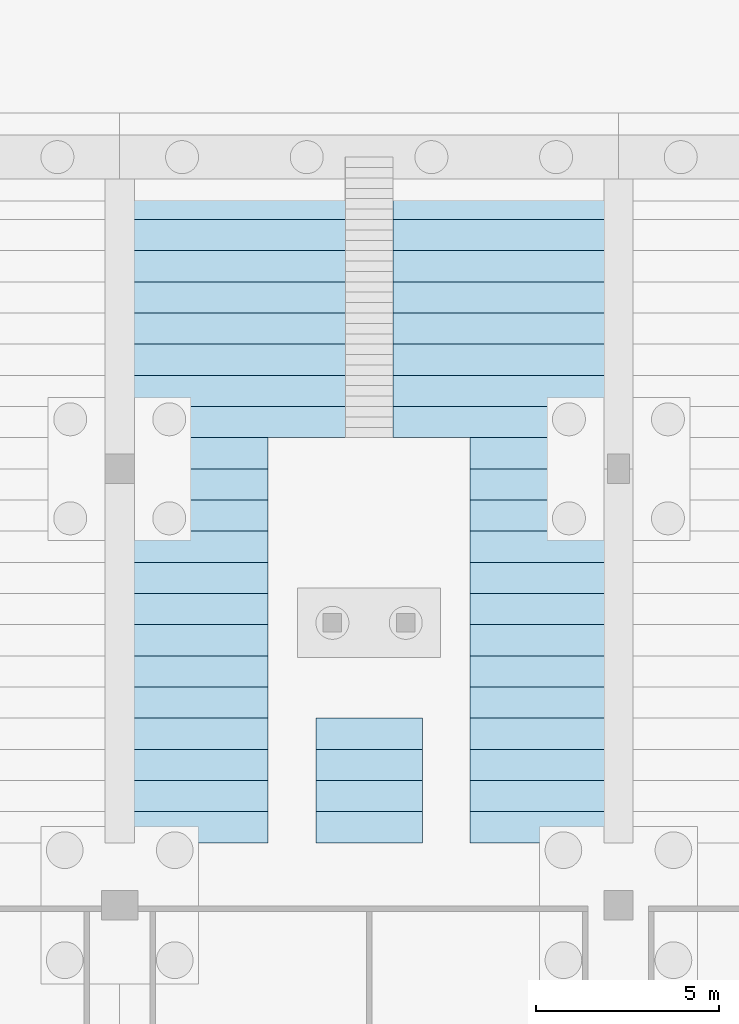
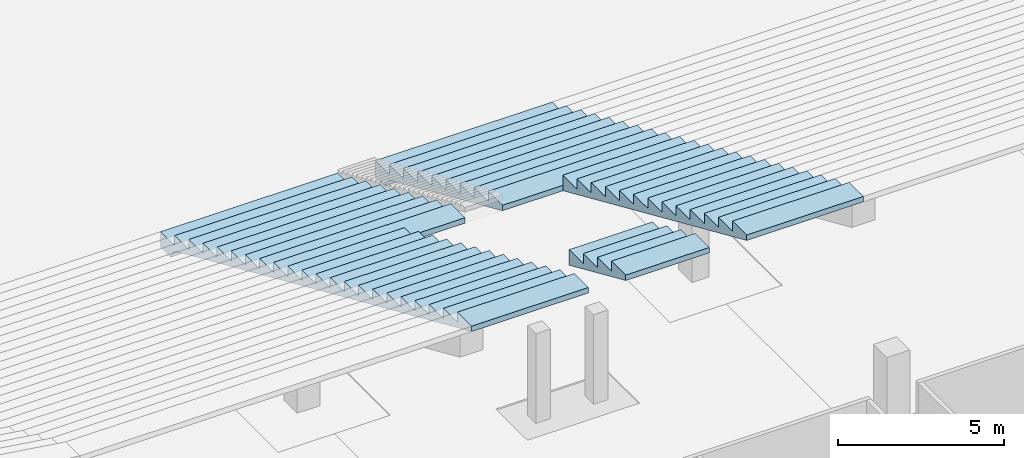
# One storey, part 44 of 115: 1 slab.
"""IFC4 building model written with IfcOpenShell, lengths in metres."""

from ifc_helpers import new_model, si_unit, direction, frame, origin, place, context, subcontext, project, spatial, faceted_brep, material, layer, layer_set, type_object, element, save


model = new_model("IFC4")

# Units and contexts
model_context = context("Model", 3, precision=1e-05, world=origin(), true_north=direction((0.0, 1.0)))
body_context = subcontext(model_context, "Body", "Model", "MODEL_VIEW")
ifc_project = project(units=[si_unit("LENGTHUNIT", "METRE"), si_unit("AREAUNIT", "SQUARE_METRE"), si_unit("VOLUMEUNIT", "CUBIC_METRE"), si_unit("PLANEANGLEUNIT", "RADIAN"), si_unit("MASSUNIT", "GRAM", prefix="KILO")], contexts=[model_context])

# Site, building, storey
site_placement = place(None, origin())
site = spatial("IfcSite", under=ifc_project, at=site_placement, CompositionType="ELEMENT")
building_placement = place(site_placement, origin())
building = spatial("IfcBuilding", under=site, at=building_placement, Name="Ogive Plaza Stadium", CompositionType="ELEMENT")
storey_placement = place(building_placement, frame((0.0, 0.0, -4.5)))
storey = spatial("IfcBuildingStorey", under=building, at=storey_placement, Name="B1", CompositionType="ELEMENT", Elevation=-4.5)

# Slab
ifc_material = material(Name="Concrete C45/55 precast", Category="concrete")
ifc_layer = layer(ifc_material, 0.574951171875)
ifc_layer_set = layer_set([ifc_layer], Name="Concrete C45/55 precast")
slab_type = type_object("IfcSlabType", Name="Seating tier LT 575", PredefinedType="USERDEFINED", material=ifc_layer_set)
slab_placement = place(storey_placement, origin())
element("IfcSlab", 1, at=slab_placement, inside=storey, type_object=slab_type, Name="Stand LT B15", ObjectType="SEATING TIER", PredefinedType="USERDEFINED", context=body_context, shape_type="Brep", body=[
    faceted_brep([(-12.949951171875, -60.0, 1.125), (-12.949951171875, -60.60009765625, 1.125), (-6.800048828125, -60.60009765625, 1.125), (-6.800048828125, -60.0, 1.125), (-20.39990234375, -60.0, 1.125), (-20.39990234375, -60.60009765625, 1.125), (-14.25, -60.60009765625, 1.125), (-14.25, -60.0, 1.125), (-12.949951171875, -60.85009765625, 1.125), (-6.800048828125, -60.85009765625, 1.125), (-20.39990234375, -60.85009765625, 1.125), (-14.25, -60.85009765625, 1.125), (-12.949951171875, -60.60009765625, 0.550048828125), (-6.800048828125, -60.0, 0.550048828125), (-6.800048828125, -60.60009765625, 0.550048828125), (-12.949951171875, -60.0, 0.550048828125), (-20.39990234375, -60.60009765625, 0.550048828125), (-14.25, -60.0, 0.550048828125), (-14.25, -60.60009765625, 0.550048828125), (-20.39990234375, -60.0, 0.550048828125), (-6.800048828125, -60.85009765625, 0.925048828125), (-6.800048828125, -60.85009765625, 1.5), (-6.800048828125, -61.699951171875, 1.5), (-6.800048828125, -61.699951171875, 1.300048828125), (-6.800048828125, -61.699951171875, 1.875), (-6.800048828125, -62.550048828125, 1.875), (-6.800048828125, -62.550048828125, 1.675048828125), (-6.800048828125, -62.550048828125, 2.25), (-6.800048828125, -63.39990234375, 2.25), (-6.800048828125, -63.39990234375, 2.050048828125), (-6.800048828125, -63.39990234375, 2.625), (-6.800048828125, -64.25, 2.625), (-6.800048828125, -64.25, 2.425048828125), (-6.800048828125, -64.25, 3.0), (-6.800048828125, -65.10009765625, 3.0), (-6.800048828125, -65.10009765625, 2.800048828125), (-6.800048828125, -65.10009765625, 3.375), (-6.800048828125, -65.949951171875, 3.375), (-6.800048828125, -65.949951171875, 3.175048828125), (-6.800048828125, -65.949951171875, 3.75), (-6.800048828125, -66.800048828125, 3.75), (-6.800048828125, -66.800048828125, 3.550048828125), (-6.800048828125, -66.800048828125, 4.125), (-6.800048828125, -67.64990234375, 4.125), (-6.800048828125, -67.64990234375, 3.925048828125), (-6.800048828125, -67.64990234375, 4.5), (-6.800048828125, -68.5, 4.5), (-6.800048828125, -68.5, 4.300048828125), (-6.800048828125, -68.5, 4.875), (-6.800048828125, -69.35009765625, 4.875), (-6.800048828125, -69.35009765625, 4.675048828125), (-6.800048828125, -69.35009765625, 5.25), (-6.800048828125, -70.199951171875, 5.25), (-6.800048828125, -70.199951171875, 5.050048828125), (-6.800048828125, -70.199951171875, 5.625), (-6.800048828125, -71.050048828125, 5.625), (-6.800048828125, -71.050048828125, 5.425048828125), (-6.800048828125, -71.050048828125, 6.0), (-6.800048828125, -71.89990234375, 6.0), (-6.800048828125, -71.89990234375, 5.800048828125), (-6.800048828125, -71.89990234375, 6.375), (-6.800048828125, -72.75, 6.375), (-6.800048828125, -72.75, 6.175048828125), (-6.800048828125, -72.75, 6.75), (-6.800048828125, -73.60009765625, 6.75), (-6.800048828125, -73.60009765625, 6.550048828125), (-6.800048828125, -73.60009765625, 7.125), (-6.800048828125, -74.449951171875, 7.125), (-6.800048828125, -74.449951171875, 6.925048828125), (-6.800048828125, -74.449951171875, 7.5), (-6.800048828125, -75.300048828125, 7.5), (-6.800048828125, -75.300048828125, 7.300048828125), (-6.800048828125, -75.300048828125, 7.875), (-6.800048828125, -76.14990234375, 7.875), (-6.800048828125, -76.14990234375, 7.675048828125), (-6.800048828125, -76.14990234375, 8.25), (-6.800048828125, -77.0, 8.25), (-6.800048828125, -77.0, 8.050048828125), (-6.800048828125, -77.0, 8.625), (-6.800048828125, -77.85009765625, 8.625), (-6.800048828125, -77.85009765625, 8.425048828125), (-6.800048828125, -77.85009765625, 9.0), (-6.800048828125, -78.699951171875, 9.0), (-6.800048828125, -78.699951171875, 8.800048828125), (-12.949951171875, -60.85009765625, 0.925048828125), (-12.949951171875, -61.699951171875, 1.5), (-12.949951171875, -60.85009765625, 1.5), (-12.949951171875, -61.699951171875, 1.300048828125), (-12.949951171875, -62.550048828125, 1.875), (-12.949951171875, -61.699951171875, 1.875), (-12.949951171875, -62.550048828125, 1.675048828125), (-12.949951171875, -63.39990234375, 2.25), (-12.949951171875, -62.550048828125, 2.25), (-12.949951171875, -63.39990234375, 2.050048828125), (-12.949951171875, -64.25, 2.625), (-12.949951171875, -63.39990234375, 2.625), (-12.949951171875, -64.25, 2.425048828125), (-12.949951171875, -65.10009765625, 3.0), (-12.949951171875, -64.25, 3.0), (-12.949951171875, -65.10009765625, 2.800048828125), (-12.949951171875, -65.949951171875, 3.375), (-12.949951171875, -65.10009765625, 3.375), (-12.949951171875, -65.949951171875, 3.175048828125), (-12.949951171875, -66.800048828125, 3.75), (-12.949951171875, -65.949951171875, 3.75), (-12.949951171875, -66.800048828125, 3.550048828125), (-12.949951171875, -67.64990234375, 4.125), (-12.949951171875, -66.800048828125, 4.125), (-12.949951171875, -67.64990234375, 3.925048828125), (-14.25, -60.85009765625, 0.925048828125), (-14.25, -60.85009765625, 1.5), (-14.25, -61.699951171875, 1.5), (-14.25, -61.699951171875, 1.300048828125), (-14.25, -61.699951171875, 1.875), (-14.25, -62.550048828125, 1.875), (-14.25, -62.550048828125, 1.675048828125), (-14.25, -62.550048828125, 2.25), (-14.25, -63.39990234375, 2.25), (-14.25, -63.39990234375, 2.050048828125), (-14.25, -63.39990234375, 2.625), (-14.25, -64.25, 2.625), (-14.25, -64.25, 2.425048828125), (-14.25, -64.25, 3.0), (-14.25, -65.10009765625, 3.0), (-14.25, -65.10009765625, 2.800048828125), (-14.25, -65.10009765625, 3.375), (-14.25, -65.949951171875, 3.375), (-14.25, -65.949951171875, 3.175048828125), (-14.25, -65.949951171875, 3.75), (-14.25, -66.800048828125, 3.75), (-14.25, -66.800048828125, 3.550048828125), (-14.25, -66.800048828125, 4.125), (-14.25, -67.64990234375, 4.125), (-14.25, -67.64990234375, 3.925048828125), (-20.39990234375, -60.85009765625, 0.925048828125), (-20.39990234375, -61.699951171875, 1.5), (-20.39990234375, -60.85009765625, 1.5), (-20.39990234375, -61.699951171875, 1.300048828125), (-20.39990234375, -62.550048828125, 1.875), (-20.39990234375, -61.699951171875, 1.875), (-20.39990234375, -62.550048828125, 1.675048828125), (-20.39990234375, -63.39990234375, 2.25), (-20.39990234375, -62.550048828125, 2.25), (-20.39990234375, -63.39990234375, 2.050048828125), (-20.39990234375, -64.25, 2.625), (-20.39990234375, -63.39990234375, 2.625), (-20.39990234375, -64.25, 2.425048828125), (-20.39990234375, -65.10009765625, 3.0), (-20.39990234375, -64.25, 3.0), (-20.39990234375, -65.10009765625, 2.800048828125), (-20.39990234375, -65.949951171875, 3.375), (-20.39990234375, -65.10009765625, 3.375), (-20.39990234375, -65.949951171875, 3.175048828125), (-20.39990234375, -66.800048828125, 3.75), (-20.39990234375, -65.949951171875, 3.75), (-20.39990234375, -66.800048828125, 3.550048828125), (-20.39990234375, -67.64990234375, 4.125), (-20.39990234375, -66.800048828125, 4.125), (-20.39990234375, -67.64990234375, 3.925048828125), (-20.39990234375, -68.5, 4.5), (-20.39990234375, -67.64990234375, 4.5), (-20.39990234375, -68.5, 4.300048828125), (-20.39990234375, -69.35009765625, 4.875), (-20.39990234375, -68.5, 4.875), (-20.39990234375, -69.35009765625, 4.675048828125), (-20.39990234375, -70.199951171875, 5.25), (-20.39990234375, -69.35009765625, 5.25), (-20.39990234375, -70.199951171875, 5.050048828125), (-20.39990234375, -71.050048828125, 5.625), (-20.39990234375, -70.199951171875, 5.625), (-20.39990234375, -71.050048828125, 5.425048828125), (-20.39990234375, -71.89990234375, 6.0), (-20.39990234375, -71.050048828125, 6.0), (-20.39990234375, -71.89990234375, 5.800048828125), (-20.39990234375, -72.75, 6.375), (-20.39990234375, -71.89990234375, 6.375), (-20.39990234375, -72.75, 6.175048828125), (-20.39990234375, -73.60009765625, 6.75), (-20.39990234375, -72.75, 6.75), (-20.39990234375, -73.60009765625, 6.550048828125), (-20.39990234375, -74.449951171875, 7.125), (-20.39990234375, -73.60009765625, 7.125), (-20.39990234375, -74.449951171875, 6.925048828125), (-20.39990234375, -75.300048828125, 7.5), (-20.39990234375, -74.449951171875, 7.5), (-20.39990234375, -75.300048828125, 7.300048828125), (-20.39990234375, -76.14990234375, 7.875), (-20.39990234375, -75.300048828125, 7.875), (-20.39990234375, -76.14990234375, 7.675048828125), (-20.39990234375, -77.0, 8.25), (-20.39990234375, -76.14990234375, 8.25), (-20.39990234375, -77.0, 8.050048828125), (-20.39990234375, -77.85009765625, 8.625), (-20.39990234375, -77.0, 8.625), (-20.39990234375, -77.85009765625, 8.425048828125), (-20.39990234375, -78.699951171875, 9.0), (-20.39990234375, -77.85009765625, 9.0), (-20.39990234375, -78.699951171875, 8.800048828125), (-10.85009765625, -67.64990234375, 3.925048828125), (-16.35009765625, -67.64990234375, 3.925048828125), (-10.85009765625, -68.5, 4.300048828125), (-16.35009765625, -68.5, 4.300048828125), (-10.85009765625, -69.35009765625, 4.675048828125), (-16.35009765625, -69.35009765625, 4.675048828125), (-10.85009765625, -70.199951171875, 5.050048828125), (-16.35009765625, -70.199951171875, 5.050048828125), (-10.85009765625, -71.050048828125, 5.425048828125), (-16.35009765625, -71.050048828125, 5.425048828125), (-10.85009765625, -71.89990234375, 5.800048828125), (-16.35009765625, -71.89990234375, 5.800048828125), (-10.85009765625, -72.75, 6.175048828125), (-16.35009765625, -72.75, 6.175048828125), (-10.85009765625, -73.60009765625, 6.550048828125), (-16.35009765625, -73.60009765625, 6.550048828125), (-10.85009765625, -74.449951171875, 6.925048828125), (-16.35009765625, -74.449951171875, 6.925048828125), (-10.85009765625, -75.300048828125, 7.300048828125), (-16.35009765625, -75.300048828125, 7.300048828125), (-10.85009765625, -76.14990234375, 7.675048828125), (-15.050048828125, -76.14990234375, 7.675048828125), (-12.14990234375, -75.300048828125, 7.300048828125), (-12.14990234375, -76.14990234375, 7.675048828125), (-15.050048828125, -75.300048828125, 7.300048828125), (-16.35009765625, -76.14990234375, 7.675048828125), (-10.85009765625, -67.64990234375, 4.125), (-16.35009765625, -67.64990234375, 4.125), (-10.85009765625, -67.64990234375, 4.5), (-16.35009765625, -67.64990234375, 4.5), (-10.85009765625, -68.5, 4.5), (-16.35009765625, -68.5, 4.5), (-10.85009765625, -68.5, 4.875), (-16.35009765625, -68.5, 4.875), (-10.85009765625, -69.35009765625, 4.875), (-10.85009765625, -70.199951171875, 5.25), (-10.85009765625, -69.35009765625, 5.25), (-10.85009765625, -71.050048828125, 5.625), (-10.85009765625, -70.199951171875, 5.625), (-10.85009765625, -71.89990234375, 6.0), (-10.85009765625, -71.050048828125, 6.0), (-10.85009765625, -72.75, 6.375), (-10.85009765625, -71.89990234375, 6.375), (-10.85009765625, -73.60009765625, 6.75), (-10.85009765625, -72.75, 6.75), (-10.85009765625, -74.449951171875, 7.125), (-10.85009765625, -73.60009765625, 7.125), (-10.85009765625, -75.300048828125, 7.5), (-10.85009765625, -74.449951171875, 7.5), (-10.85009765625, -76.14990234375, 7.875), (-10.85009765625, -75.300048828125, 7.875), (-10.85009765625, -77.0, 8.25), (-10.85009765625, -76.14990234375, 8.25), (-10.85009765625, -77.0, 8.050048828125), (-10.85009765625, -77.85009765625, 8.625), (-10.85009765625, -77.0, 8.625), (-10.85009765625, -77.85009765625, 8.425048828125), (-10.85009765625, -78.699951171875, 9.0), (-10.85009765625, -77.85009765625, 9.0), (-10.85009765625, -78.699951171875, 8.800048828125), (-16.35009765625, -69.35009765625, 4.875), (-16.35009765625, -69.35009765625, 5.25), (-16.35009765625, -70.199951171875, 5.25), (-16.35009765625, -70.199951171875, 5.625), (-16.35009765625, -71.050048828125, 5.625), (-16.35009765625, -71.050048828125, 6.0), (-16.35009765625, -71.89990234375, 6.0), (-16.35009765625, -71.89990234375, 6.375), (-16.35009765625, -72.75, 6.375), (-16.35009765625, -72.75, 6.75), (-16.35009765625, -73.60009765625, 6.75), (-16.35009765625, -73.60009765625, 7.125), (-16.35009765625, -74.449951171875, 7.125), (-16.35009765625, -74.449951171875, 7.5), (-16.35009765625, -75.300048828125, 7.5), (-16.35009765625, -75.300048828125, 7.875), (-16.35009765625, -76.14990234375, 7.875), (-16.35009765625, -76.14990234375, 8.25), (-16.35009765625, -77.0, 8.25), (-16.35009765625, -77.0, 8.050048828125), (-16.35009765625, -77.0, 8.625), (-16.35009765625, -77.85009765625, 8.625), (-16.35009765625, -77.85009765625, 8.425048828125), (-16.35009765625, -77.85009765625, 9.0), (-16.35009765625, -78.699951171875, 9.0), (-16.35009765625, -78.699951171875, 8.800048828125), (-12.14990234375, -75.300048828125, 7.875), (-15.050048828125, -75.300048828125, 7.875), (-15.050048828125, -76.14990234375, 7.875), (-12.14990234375, -76.14990234375, 7.875), (-12.14990234375, -76.14990234375, 8.25), (-15.050048828125, -76.14990234375, 8.25), (-12.14990234375, -77.0, 8.25), (-12.14990234375, -77.0, 8.050048828125), (-12.14990234375, -77.0, 8.625), (-12.14990234375, -77.85009765625, 8.625), (-12.14990234375, -77.85009765625, 8.425048828125), (-12.14990234375, -77.85009765625, 9.0), (-12.14990234375, -78.699951171875, 9.0), (-12.14990234375, -78.699951171875, 8.800048828125), (-15.050048828125, -77.0, 8.25), (-15.050048828125, -77.0, 8.050048828125), (-15.050048828125, -77.85009765625, 8.625), (-15.050048828125, -77.0, 8.625), (-15.050048828125, -77.85009765625, 8.425048828125), (-15.050048828125, -78.699951171875, 9.0), (-15.050048828125, -77.85009765625, 9.0), (-15.050048828125, -78.699951171875, 8.800048828125)], [[[0, 1, 2]], [[2, 3, 0]], [[4, 5, 6]], [[6, 7, 4]], [[1, 8, 9]], [[9, 2, 1]], [[5, 10, 11]], [[11, 6, 5]], [[12, 13, 14]], [[12, 15, 13]], [[16, 17, 18]], [[16, 19, 17]], [[2, 14, 13]], [[13, 3, 2]], [[20, 14, 2]], [[20, 2, 9]], [[9, 21, 22]], [[22, 23, 20]], [[20, 9, 22]], [[22, 24, 25]], [[25, 26, 23]], [[23, 22, 25]], [[25, 27, 28]], [[28, 29, 26]], [[26, 25, 28]], [[28, 30, 31]], [[31, 32, 29]], [[29, 28, 31]], [[31, 33, 34]], [[34, 35, 32]], [[32, 31, 34]], [[34, 36, 37]], [[37, 38, 35]], [[35, 34, 37]], [[37, 39, 40]], [[40, 41, 38]], [[38, 37, 40]], [[40, 42, 43]], [[43, 44, 41]], [[41, 40, 43]], [[43, 45, 46]], [[46, 47, 44]], [[44, 43, 46]], [[46, 48, 49]], [[49, 50, 47]], [[47, 46, 49]], [[49, 51, 52]], [[52, 53, 50]], [[50, 49, 52]], [[52, 54, 55]], [[55, 56, 53]], [[53, 52, 55]], [[55, 57, 58]], [[58, 59, 56]], [[56, 55, 58]], [[58, 60, 61]], [[61, 62, 59]], [[59, 58, 61]], [[61, 63, 64]], [[64, 65, 62]], [[62, 61, 64]], [[64, 66, 67]], [[67, 68, 65]], [[65, 64, 67]], [[67, 69, 70]], [[70, 71, 68]], [[68, 67, 70]], [[70, 72, 73]], [[73, 74, 71]], [[71, 70, 73]], [[73, 75, 76]], [[76, 77, 74]], [[74, 73, 76]], [[76, 78, 79]], [[79, 80, 77]], [[77, 76, 79]], [[79, 81, 82]], [[82, 83, 80]], [[80, 79, 82]], [[3, 13, 15]], [[15, 0, 3]], [[7, 17, 19]], [[19, 4, 7]], [[0, 15, 12]], [[12, 1, 0]], [[1, 12, 84]], [[84, 8, 1]], [[85, 86, 8]], [[8, 84, 87]], [[87, 85, 8]], [[88, 89, 85]], [[85, 87, 90]], [[90, 88, 85]], [[91, 92, 88]], [[88, 90, 93]], [[93, 91, 88]], [[94, 95, 91]], [[91, 93, 96]], [[96, 94, 91]], [[97, 98, 94]], [[94, 96, 99]], [[99, 97, 94]], [[100, 101, 97]], [[97, 99, 102]], [[102, 100, 97]], [[103, 104, 100]], [[100, 102, 105]], [[105, 103, 100]], [[106, 107, 103]], [[103, 105, 108]], [[108, 106, 103]], [[6, 18, 17]], [[17, 7, 6]], [[109, 18, 6]], [[109, 6, 11]], [[11, 110, 111]], [[111, 112, 109]], [[109, 11, 111]], [[111, 113, 114]], [[114, 115, 112]], [[112, 111, 114]], [[114, 116, 117]], [[117, 118, 115]], [[115, 114, 117]], [[117, 119, 120]], [[120, 121, 118]], [[118, 117, 120]], [[120, 122, 123]], [[123, 124, 121]], [[121, 120, 123]], [[123, 125, 126]], [[126, 127, 124]], [[124, 123, 126]], [[126, 128, 129]], [[129, 130, 127]], [[127, 126, 129]], [[129, 131, 132]], [[132, 133, 130]], [[130, 129, 132]], [[4, 19, 16]], [[16, 5, 4]], [[5, 16, 134]], [[134, 10, 5]], [[135, 136, 10]], [[10, 134, 137]], [[137, 135, 10]], [[138, 139, 135]], [[135, 137, 140]], [[140, 138, 135]], [[141, 142, 138]], [[138, 140, 143]], [[143, 141, 138]], [[144, 145, 141]], [[141, 143, 146]], [[146, 144, 141]], [[147, 148, 144]], [[144, 146, 149]], [[149, 147, 144]], [[150, 151, 147]], [[147, 149, 152]], [[152, 150, 147]], [[153, 154, 150]], [[150, 152, 155]], [[155, 153, 150]], [[156, 157, 153]], [[153, 155, 158]], [[158, 156, 153]], [[159, 160, 156]], [[156, 158, 161]], [[161, 159, 156]], [[162, 163, 159]], [[159, 161, 164]], [[164, 162, 159]], [[165, 166, 162]], [[162, 164, 167]], [[167, 165, 162]], [[168, 169, 165]], [[165, 167, 170]], [[170, 168, 165]], [[171, 172, 168]], [[168, 170, 173]], [[173, 171, 168]], [[174, 175, 171]], [[171, 173, 176]], [[176, 174, 171]], [[177, 178, 174]], [[174, 176, 179]], [[179, 177, 174]], [[180, 181, 177]], [[177, 179, 182]], [[182, 180, 177]], [[183, 184, 180]], [[180, 182, 185]], [[185, 183, 180]], [[186, 187, 183]], [[183, 185, 188]], [[188, 186, 183]], [[189, 190, 186]], [[186, 188, 191]], [[191, 189, 186]], [[192, 193, 189]], [[189, 191, 194]], [[194, 192, 189]], [[195, 196, 192]], [[192, 194, 197]], [[197, 195, 192]], [[84, 14, 20]], [[84, 12, 14]], [[134, 18, 109]], [[134, 16, 18]], [[21, 9, 8]], [[8, 86, 21]], [[110, 11, 10]], [[10, 136, 110]], [[86, 85, 22]], [[22, 21, 86]], [[136, 135, 111]], [[111, 110, 136]], [[87, 20, 23]], [[87, 84, 20]], [[137, 109, 112]], [[137, 134, 109]], [[90, 23, 26]], [[90, 87, 23]], [[140, 112, 115]], [[140, 137, 112]], [[93, 26, 29]], [[93, 90, 26]], [[143, 115, 118]], [[143, 140, 115]], [[96, 29, 32]], [[96, 93, 29]], [[146, 118, 121]], [[146, 143, 118]], [[99, 32, 35]], [[99, 96, 32]], [[149, 121, 124]], [[149, 146, 121]], [[102, 35, 38]], [[102, 99, 35]], [[152, 124, 127]], [[152, 149, 124]], [[105, 38, 41]], [[105, 102, 38]], [[155, 127, 130]], [[155, 152, 127]], [[41, 44, 198]], [[108, 41, 198]], [[108, 105, 41]], [[199, 158, 130]], [[130, 133, 199]], [[158, 155, 130]], [[200, 44, 47]], [[200, 198, 44]], [[161, 199, 201]], [[161, 158, 199]], [[202, 47, 50]], [[202, 200, 47]], [[164, 201, 203]], [[164, 161, 201]], [[204, 50, 53]], [[204, 202, 50]], [[167, 203, 205]], [[167, 164, 203]], [[206, 53, 56]], [[206, 204, 53]], [[170, 205, 207]], [[170, 167, 205]], [[208, 56, 59]], [[208, 206, 56]], [[173, 207, 209]], [[173, 170, 207]], [[210, 59, 62]], [[210, 208, 59]], [[176, 209, 211]], [[176, 173, 209]], [[212, 62, 65]], [[212, 210, 62]], [[179, 211, 213]], [[179, 176, 211]], [[214, 65, 68]], [[214, 212, 65]], [[182, 213, 215]], [[182, 179, 213]], [[216, 68, 71]], [[216, 214, 68]], [[185, 215, 217]], [[185, 182, 215]], [[218, 71, 74]], [[218, 216, 71]], [[219, 220, 221]], [[219, 222, 220]], [[188, 217, 223]], [[188, 185, 217]], [[24, 22, 85]], [[85, 89, 24]], [[113, 111, 135]], [[135, 139, 113]], [[89, 88, 25]], [[25, 24, 89]], [[139, 138, 114]], [[114, 113, 139]], [[27, 25, 88]], [[88, 92, 27]], [[116, 114, 138]], [[138, 142, 116]], [[92, 91, 28]], [[28, 27, 92]], [[142, 141, 117]], [[117, 116, 142]], [[30, 28, 91]], [[91, 95, 30]], [[119, 117, 141]], [[141, 145, 119]], [[95, 94, 31]], [[31, 30, 95]], [[145, 144, 120]], [[120, 119, 145]], [[33, 31, 94]], [[94, 98, 33]], [[122, 120, 144]], [[144, 148, 122]], [[98, 97, 34]], [[34, 33, 98]], [[148, 147, 123]], [[123, 122, 148]], [[36, 34, 97]], [[97, 101, 36]], [[125, 123, 147]], [[147, 151, 125]], [[101, 100, 37]], [[37, 36, 101]], [[151, 150, 126]], [[126, 125, 151]], [[39, 37, 100]], [[100, 104, 39]], [[128, 126, 150]], [[150, 154, 128]], [[104, 103, 40]], [[40, 39, 104]], [[154, 153, 129]], [[129, 128, 154]], [[42, 40, 103]], [[103, 107, 42]], [[131, 129, 153]], [[153, 157, 131]], [[43, 42, 107]], [[224, 43, 107]], [[106, 224, 107]], [[132, 131, 157]], [[157, 156, 225]], [[225, 132, 157]], [[198, 224, 106]], [[198, 106, 108]], [[199, 133, 132]], [[132, 225, 199]], [[224, 226, 45]], [[43, 224, 45]], [[227, 225, 156]], [[156, 160, 227]], [[226, 228, 46]], [[46, 45, 226]], [[160, 159, 229]], [[229, 227, 160]], [[48, 46, 228]], [[228, 230, 48]], [[231, 229, 159]], [[159, 163, 231]], [[228, 226, 224]], [[224, 198, 200]], [[200, 228, 224]], [[232, 230, 228]], [[228, 200, 202]], [[202, 232, 228]], [[233, 234, 232]], [[232, 202, 204]], [[204, 233, 232]], [[235, 236, 233]], [[233, 204, 206]], [[206, 235, 233]], [[237, 238, 235]], [[235, 206, 208]], [[208, 237, 235]], [[239, 240, 237]], [[237, 208, 210]], [[210, 239, 237]], [[241, 242, 239]], [[239, 210, 212]], [[212, 241, 239]], [[243, 244, 241]], [[241, 212, 214]], [[214, 243, 241]], [[245, 246, 243]], [[243, 214, 216]], [[216, 245, 243]], [[247, 248, 245]], [[245, 216, 218]], [[218, 247, 245]], [[249, 250, 247]], [[247, 218, 251]], [[251, 249, 247]], [[252, 253, 249]], [[249, 251, 254]], [[254, 252, 249]], [[255, 256, 252]], [[252, 254, 257]], [[257, 255, 252]], [[225, 227, 229]], [[229, 201, 199]], [[199, 225, 229]], [[229, 231, 258]], [[258, 203, 201]], [[201, 229, 258]], [[258, 259, 260]], [[260, 205, 203]], [[203, 258, 260]], [[260, 261, 262]], [[262, 207, 205]], [[205, 260, 262]], [[262, 263, 264]], [[264, 209, 207]], [[207, 262, 264]], [[264, 265, 266]], [[266, 211, 209]], [[209, 264, 266]], [[266, 267, 268]], [[268, 213, 211]], [[211, 266, 268]], [[268, 269, 270]], [[270, 215, 213]], [[213, 268, 270]], [[270, 271, 272]], [[272, 217, 215]], [[215, 270, 272]], [[272, 273, 274]], [[274, 223, 217]], [[217, 272, 274]], [[274, 275, 276]], [[276, 277, 223]], [[223, 274, 276]], [[276, 278, 279]], [[279, 280, 277]], [[277, 276, 279]], [[279, 281, 282]], [[282, 283, 280]], [[280, 279, 282]], [[230, 232, 49]], [[49, 48, 230]], [[163, 162, 258]], [[258, 231, 163]], [[51, 49, 232]], [[232, 234, 51]], [[259, 258, 162]], [[162, 166, 259]], [[234, 233, 52]], [[52, 51, 234]], [[166, 165, 260]], [[260, 259, 166]], [[54, 52, 233]], [[233, 236, 54]], [[261, 260, 165]], [[165, 169, 261]], [[236, 235, 55]], [[55, 54, 236]], [[169, 168, 262]], [[262, 261, 169]], [[57, 55, 235]], [[235, 238, 57]], [[263, 262, 168]], [[168, 172, 263]], [[238, 237, 58]], [[58, 57, 238]], [[172, 171, 264]], [[264, 263, 172]], [[60, 58, 237]], [[237, 240, 60]], [[265, 264, 171]], [[171, 175, 265]], [[240, 239, 61]], [[61, 60, 240]], [[175, 174, 266]], [[266, 265, 175]], [[63, 61, 239]], [[239, 242, 63]], [[267, 266, 174]], [[174, 178, 267]], [[242, 241, 64]], [[64, 63, 242]], [[178, 177, 268]], [[268, 267, 178]], [[66, 64, 241]], [[241, 244, 66]], [[269, 268, 177]], [[177, 181, 269]], [[244, 243, 67]], [[67, 66, 244]], [[181, 180, 270]], [[270, 269, 181]], [[69, 67, 243]], [[243, 246, 69]], [[271, 270, 180]], [[180, 184, 271]], [[246, 245, 70]], [[70, 69, 246]], [[184, 183, 272]], [[272, 271, 184]], [[72, 70, 245]], [[245, 248, 72]], [[284, 220, 222]], [[222, 285, 284]], [[273, 272, 183]], [[183, 187, 273]], [[248, 247, 73]], [[73, 72, 248]], [[285, 286, 287]], [[287, 284, 285]], [[187, 186, 274]], [[274, 273, 187]], [[75, 73, 247]], [[247, 250, 75]], [[288, 287, 286]], [[286, 289, 288]], [[275, 274, 186]], [[186, 190, 275]], [[221, 220, 284]], [[221, 284, 287]], [[287, 288, 290]], [[290, 291, 221]], [[221, 287, 290]], [[290, 292, 293]], [[293, 294, 291]], [[291, 290, 293]], [[293, 295, 296]], [[296, 297, 294]], [[294, 293, 296]], [[285, 222, 219]], [[219, 286, 285]], [[298, 289, 286]], [[286, 219, 299]], [[299, 298, 286]], [[300, 301, 298]], [[298, 299, 302]], [[302, 300, 298]], [[303, 304, 300]], [[300, 302, 305]], [[305, 303, 300]], [[250, 249, 76]], [[76, 75, 250]], [[289, 298, 290]], [[290, 288, 289]], [[190, 189, 276]], [[276, 275, 190]], [[251, 74, 77]], [[251, 218, 74]], [[299, 221, 291]], [[299, 219, 221]], [[191, 223, 277]], [[191, 188, 223]], [[254, 77, 80]], [[254, 251, 77]], [[302, 291, 294]], [[302, 299, 291]], [[194, 277, 280]], [[194, 191, 277]], [[257, 80, 83]], [[257, 254, 80]], [[305, 294, 297]], [[305, 302, 294]], [[197, 280, 283]], [[197, 194, 280]], [[78, 76, 249]], [[249, 253, 78]], [[292, 290, 298]], [[298, 301, 292]], [[278, 276, 189]], [[189, 193, 278]], [[253, 252, 79]], [[79, 78, 253]], [[301, 300, 293]], [[293, 292, 301]], [[193, 192, 279]], [[279, 278, 193]], [[81, 79, 252]], [[252, 256, 81]], [[295, 293, 300]], [[300, 304, 295]], [[281, 279, 192]], [[192, 196, 281]], [[256, 255, 82]], [[82, 81, 256]], [[304, 303, 296]], [[296, 295, 304]], [[196, 195, 282]], [[282, 281, 196]], [[255, 257, 83]], [[83, 82, 255]], [[303, 305, 297]], [[297, 296, 303]], [[195, 197, 283]], [[283, 282, 195]]]),
])

save(model, "model.ifc")
